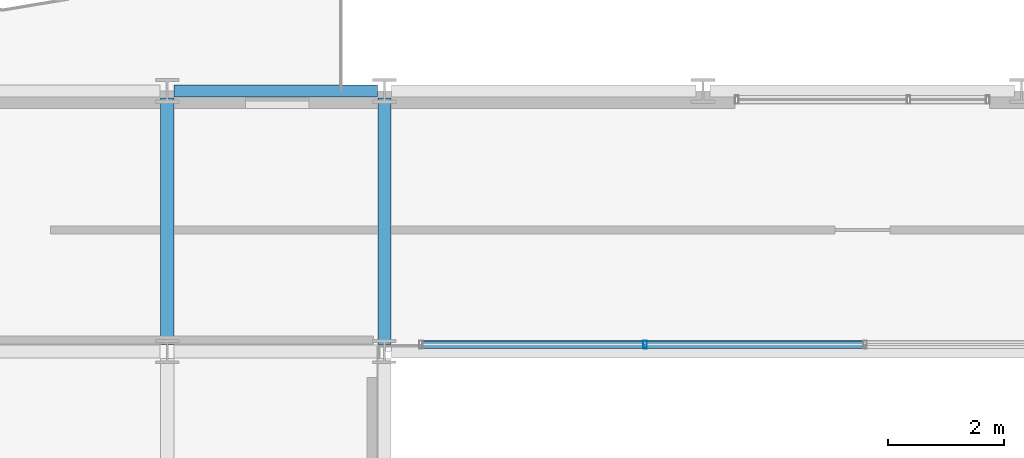
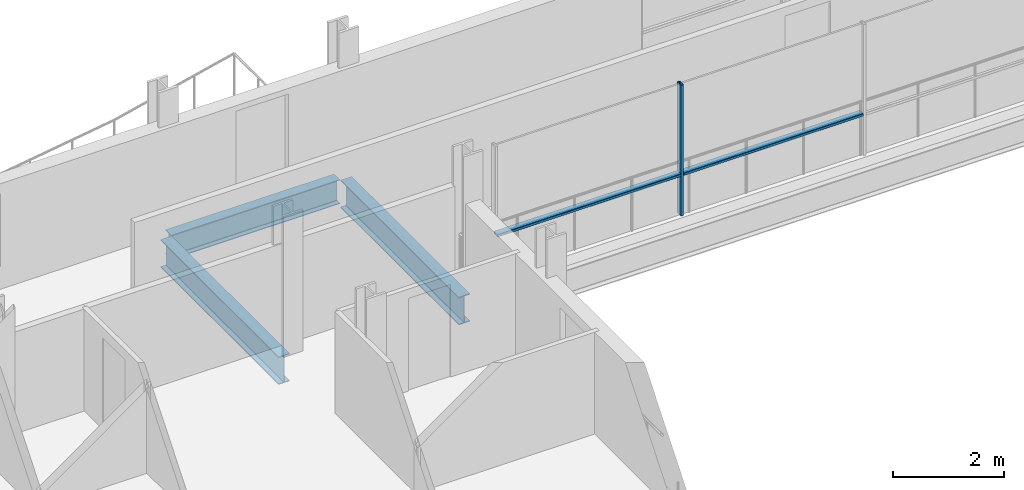
# One storey, part 9 of 38: 3 beams, 3 members, 1 element without a shape of its own.
"""IFC4 building model written with IfcOpenShell, lengths in metres."""

from ifc_helpers import new_model, si_unit, direction, frame, origin, origin_2d, place, context, subcontext, project, spatial, hollow_rectangle, i_section, extrude, material, layer, layer_set, material_profile, profile_set, type_object, element, aggregate, save


model = new_model("IFC4")

# Units and contexts
model_context = context("Model", 3, precision=1e-05, world=origin(), true_north=direction((0.0, 1.0)))
body_context = subcontext(model_context, "Body", "Model", "MODEL_VIEW")
ifc_project = project(units=[si_unit("LENGTHUNIT", "METRE"), si_unit("AREAUNIT", "SQUARE_METRE"), si_unit("VOLUMEUNIT", "CUBIC_METRE"), si_unit("PLANEANGLEUNIT", "RADIAN"), si_unit("MASSUNIT", "GRAM", prefix="KILO")], contexts=[model_context])

# Site, building, storey
site_placement = place(None, origin())
site = spatial("IfcSite", under=ifc_project, at=site_placement, CompositionType="ELEMENT")
building_placement = place(site_placement, origin())
building = spatial("IfcBuilding", under=site, at=building_placement, Name="Brevholm Reach", CompositionType="ELEMENT")
storey_placement = place(building_placement, frame((0.0, 0.0, 122.10009765625)))
storey = spatial("IfcBuildingStorey", under=building, at=storey_placement, Name="L36", CompositionType="ELEMENT", Elevation=122.10009765625)

# Beams
ifc_material_1 = material(Name="Structural Steel S355J2", Category="steel")
ifc_material_profile_1 = material_profile(ifc_material_1, i_section(OverallWidth=0.209228515625, OverallDepth=0.533203125, WebThickness=0.010009765625, FlangeThickness=0.015625, FilletRadius=0.0126953125, at=origin_2d()), Name="UKB 533x210x92")
ifc_profile_set_1 = profile_set([ifc_material_profile_1], Name="Structural Steel S355J2")
beam_type_1 = type_object("IfcBeamType", Name="BM-SP533", PredefinedType="SPANDREL", material=ifc_profile_set_1)
beam_placement = place(storey_placement, frame((18.1201171875, 31.0, -0.486572265625), z_axis=(1.0, 0.0, 0.0), x_axis=(0.0, 1.0, 0.0)))
element("IfcBeam", 1, at=beam_placement, inside=storey, type_object=beam_type_1, Name="L36 SP-02 Framing Beam", PredefinedType="SPANDREL", context=body_context, shape_type="SweptSolid", body=[
    extrude(i_section(OverallWidth=0.209228515625, OverallDepth=0.533203125, WebThickness=0.010009765625, FlangeThickness=0.015625, FilletRadius=0.0126953125, at=origin_2d()), origin(), (0.0, 0.0, 1.0), 3.509765625),
])
ifc_material_2 = material(Name="Structural Steel S355J2", Category="steel")
ifc_material_profile_2 = material_profile(ifc_material_2, i_section(OverallWidth=0.22900390625, OverallDepth=0.6123046875, WebThickness=0.011962890625, FlangeThickness=0.01953125, FilletRadius=0.0126953125, at=origin_2d()), Name="UKB 610x229x125")
ifc_profile_set_2 = profile_set([ifc_material_profile_2], Name="Structural Steel S355J2")
beam_type_2 = type_object("IfcBeamType", Name="BM-SP610", PredefinedType="SPANDREL", material=ifc_profile_set_2)
for number, where, z_axis, x_axis, name in (
    (2, (18.0, 26.6201171875, -0.526123046875), (0.0, 1.0, 0.0), (-1.0, 0.0, 0.0), "L36 SP-01 Framing Beam"),
    (3, (21.75, 26.6201171875, -0.526123046875), (0.0, 1.0, 0.0), (-1.0, 0.0, 0.0), "L36 SP-01 Framing Beam"),
):
    element("IfcBeam", number, at=place(storey_placement, frame(where, z_axis=z_axis, x_axis=x_axis)), inside=storey, type_object=beam_type_2, Name=name, PredefinedType="SPANDREL", context=body_context, shape_type="SweptSolid", body=[
        extrude(i_section(OverallWidth=0.22900390625, OverallDepth=0.6123046875, WebThickness=0.011962890625, FlangeThickness=0.01953125, FilletRadius=0.0126953125, at=origin_2d()), origin(), (0.0, 0.0, 1.0), 4.259765625),
    ])

# Curtain wall, members
ifc_material_3 = material(Name="Dark Anodised Aluminium 6063-T6 and Solar-Control Glass", Category="aluminium")
ifc_layer = layer(ifc_material_3, 0.139892578125)
ifc_layer_set = layer_set([ifc_layer], Name="Dark Anodised Aluminium 6063-T6 and Solar-Control Glass")
curtain_wall_type = type_object("IfcCurtainWallType", Name="CW-02", PredefinedType="NOTDEFINED", material=ifc_layer_set)
curtain_wall_placement = place(storey_placement, origin())
curtain_wall = element("IfcCurtainWall", 4, at=curtain_wall_placement, inside=storey, type_object=curtain_wall_type, Name="L36 Curtain Wall CW-02", PredefinedType="NOTDEFINED")
ifc_material_4 = material(Name="Dark Anodised Aluminium 6063-T6", Category="aluminium")
ifc_material_profile_3 = material_profile(ifc_material_4, hollow_rectangle(XDim=0.06005859375, YDim=0.139892578125, WallThickness=0.0048828125, InnerFilletRadius=0.0048828125, OuterFilletRadius=0.010009765625, at=origin_2d()), Name="RHS 140x60x5")
ifc_profile_set_3 = profile_set([ifc_material_profile_3], Name="Dark Anodised Aluminium 6063-T6")
member_type_1 = type_object("IfcMemberType", Name="CWM-140", PredefinedType="MULLION", material=ifc_profile_set_3)
member_1_placement = place(storey_placement, frame((26.25, 26.6201171875, 0.0), z_axis=(0.0, 0.0, 1.0), x_axis=(-1.0, 0.0, 0.0)))
member_1 = element("IfcMember", 5, at=member_1_placement, type_object=member_type_1, Name="CM-140 Mullion 4", PredefinedType="MULLION", context=body_context, shape_type="SweptSolid", body=[
    extrude(hollow_rectangle(XDim=0.06005859375, YDim=0.139892578125, WallThickness=0.0048828125, InnerFilletRadius=0.0048828125, OuterFilletRadius=0.010009765625, at=origin_2d()), origin(), (0.0, 0.0, 1.0), 2.8798828125),
])
ifc_material_5 = material(Name="Dark Anodised Aluminium 6063-T6", Category="aluminium")
ifc_material_profile_4 = material_profile(ifc_material_5, hollow_rectangle(XDim=0.06005859375, YDim=0.139892578125, WallThickness=0.0048828125, InnerFilletRadius=0.0048828125, OuterFilletRadius=0.010009765625, at=origin_2d()), Name="RHS 140x60x5")
ifc_profile_set_4 = profile_set([ifc_material_profile_4], Name="Dark Anodised Aluminium 6063-T6")
member_type_2 = type_object("IfcMemberType", Name="CWT-140", PredefinedType="NOTDEFINED", material=ifc_profile_set_4)
member_2_placement = place(storey_placement, frame((30.02001953125, 26.6201171875, 0.89990234375), z_axis=(-1.0, 0.0, 0.0), x_axis=(0.0, 0.0, 1.0)))
member_2 = element("IfcMember", 6, at=member_2_placement, type_object=member_type_2, Name="CT-140 Transom 3.1", ObjectType="TRANSOM", PredefinedType="USERDEFINED", context=body_context, shape_type="SweptSolid", body=[
    extrude(hollow_rectangle(XDim=0.06005859375, YDim=0.139892578125, WallThickness=0.0048828125, InnerFilletRadius=0.0048828125, OuterFilletRadius=0.010009765625, at=origin_2d()), origin(), (0.0, 0.0, 1.0), 3.739990234375),
])
member_3_placement = place(storey_placement, frame((26.219970703125, 26.6201171875, 0.89990234375), z_axis=(-1.0, 0.0, 0.0), x_axis=(0.0, 0.0, 1.0)))
member_3 = element("IfcMember", 7, at=member_3_placement, type_object=member_type_2, Name="CT-140 Transom 4.1", ObjectType="TRANSOM", PredefinedType="USERDEFINED", context=body_context, shape_type="SweptSolid", body=[
    extrude(hollow_rectangle(XDim=0.06005859375, YDim=0.139892578125, WallThickness=0.0048828125, InnerFilletRadius=0.0048828125, OuterFilletRadius=0.010009765625, at=origin_2d()), origin(), (0.0, 0.0, 1.0), 3.81005859375),
])
aggregate(curtain_wall, [member_1, member_2, member_3])

save(model, "model.ifc")
